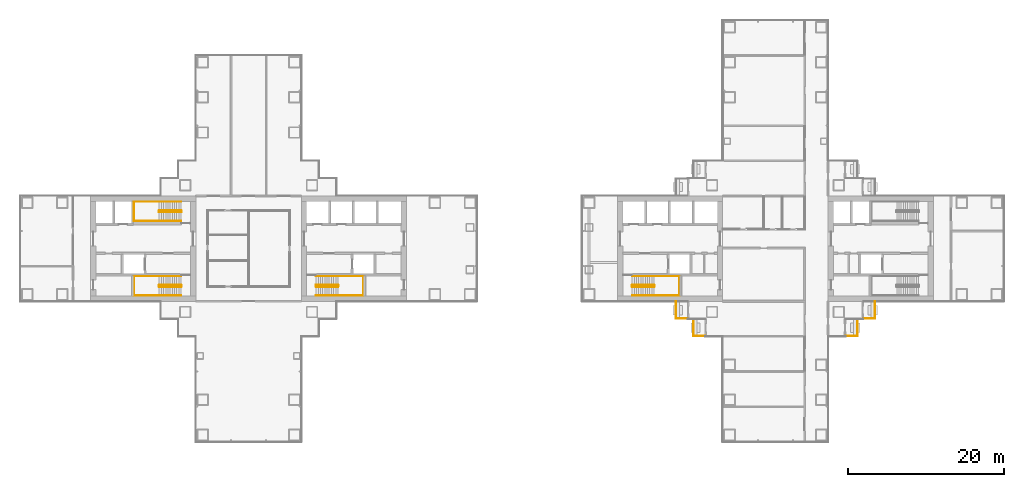
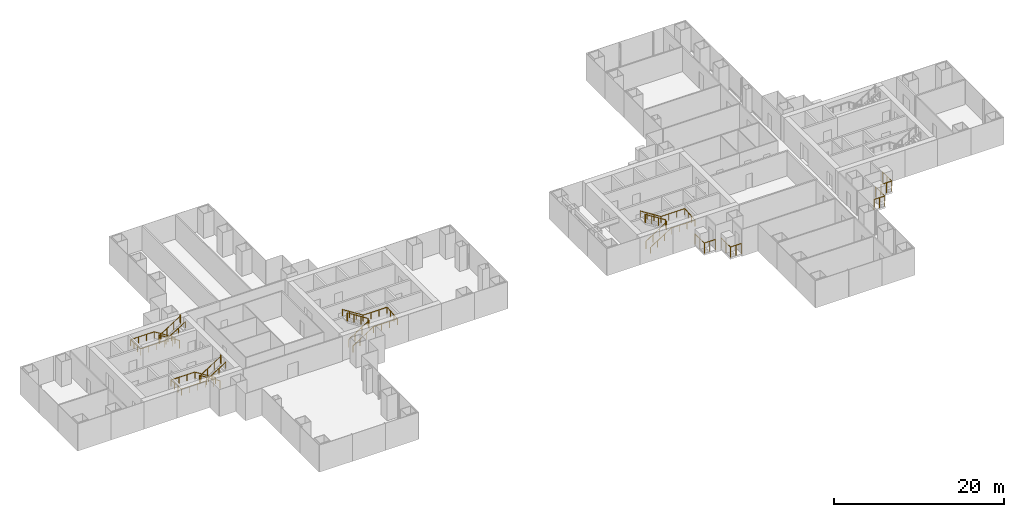
# One storey, part 19 of 21: 12 railings.
"""IFC4 building model written with IfcOpenShell, lengths in metres."""

from ifc_helpers import new_model, si_unit, direction, frame, origin, origin_2d, place, context, subcontext, project, spatial, circle, extrude, material, type_object, element, save


model = new_model("IFC4")

# Units and contexts
model_context = context("Model", 3, precision=1e-05, world=origin(), true_north=direction((0.0, 1.0)))
body_context = subcontext(model_context, "Body", "Model", "MODEL_VIEW")
ifc_project = project(units=[si_unit("LENGTHUNIT", "METRE"), si_unit("AREAUNIT", "SQUARE_METRE"), si_unit("VOLUMEUNIT", "CUBIC_METRE"), si_unit("PLANEANGLEUNIT", "RADIAN"), si_unit("MASSUNIT", "GRAM", prefix="KILO")], contexts=[model_context])

# Site, building, storey
site_placement = place(None, origin())
site = spatial("IfcSite", under=ifc_project, at=site_placement, CompositionType="ELEMENT")
building_placement = place(site_placement, origin())
building = spatial("IfcBuilding", under=site, at=building_placement, Name="Shamsa Quay Exchange Towers", CompositionType="ELEMENT")
storey_placement = place(building_placement, frame((0.0, 0.0, 49.800048828125)))
storey = spatial("IfcBuildingStorey", under=building, at=storey_placement, Name="L10", CompositionType="ELEMENT", Elevation=49.800048828125)

# Railings
ifc_material_1 = material(Name="Steel S355, black powder-coated", Category="steel")
railing_type_1 = type_object("IfcRailingType", Name="BALCONY GUARD 1500", PredefinedType="GUARDRAIL", material=ifc_material_1)
for number, where, name in (
    (1, (21.0, -6.7880859375, 0.0), "Balcony guard T2-PKWN L10"),
    (2, (23.25, -9.0380859375, 0.0), "Balcony guard T2-PKWN L10"),
):
    element("IfcRailing", number, at=place(storey_placement, frame(where)), inside=storey, type_object=railing_type_1, Name=name, PredefinedType="GUARDRAIL", context=body_context, shape_type="SweptSolid", body=[
        extrude(circle(Radius=0.02392578125, at=origin_2d()), frame((0.0, 0.0, 1.47607421875), z_axis=(0.0, -1.0, 0.0), x_axis=(1.0, 0.0, 0.0)), (0.0, 0.0, 1.0), 2.161865234375),
        extrude(circle(Radius=0.02392578125, at=origin_2d()), frame((0.0, -2.161865234375, 1.47607421875), z_axis=(1.0, 0.0, 0.0), x_axis=(0.0, 1.0, 0.0)), (0.0, 0.0, 1.0), 1.47900390625),
        extrude(circle(Radius=0.02099609375, at=origin_2d()), origin(), (0.0, 0.0, 1.0), 1.451904296875),
        extrude(circle(Radius=0.02099609375, at=origin_2d()), frame((0.0, -1.0810546875, 0.0)), (0.0, 0.0, 1.0), 1.451904296875),
        extrude(circle(Radius=0.02099609375, at=origin_2d()), frame((0.0, -2.161865234375, 0.0)), (0.0, 0.0, 1.0), 1.451904296875),
        extrude(circle(Radius=0.02099609375, at=origin_2d()), frame((0.739501953125, -2.161865234375, 0.0)), (0.0, 0.0, 1.0), 1.451904296875),
        extrude(circle(Radius=0.02099609375, at=origin_2d()), frame((1.47900390625, -2.161865234375, 0.0)), (0.0, 0.0, 1.0), 1.451904296875),
    ])
for number, where, name in (
    (3, (42.77099609375, -11.199951171875, 0.0), "Balcony guard T2-PKWS L10"),
    (4, (45.02099609375, -8.949951171875, 0.0), "Balcony guard T2-PKWS L10"),
):
    element("IfcRailing", number, at=place(storey_placement, frame(where)), inside=storey, type_object=railing_type_1, Name=name, PredefinedType="GUARDRAIL", context=body_context, shape_type="SweptSolid", body=[
        extrude(circle(Radius=0.02392578125, at=origin_2d()), frame((0.0, 0.0, 1.47607421875), z_axis=(1.0, 0.0, 0.0), x_axis=(0.0, 1.0, 0.0)), (0.0, 0.0, 1.0), 1.47900390625),
        extrude(circle(Radius=0.02392578125, at=origin_2d()), frame((1.47900390625, 0.0, 1.47607421875), z_axis=(0.0, 1.0, 0.0), x_axis=(-1.0, 0.0, 0.0)), (0.0, 0.0, 1.0), 2.161865234375),
        extrude(circle(Radius=0.02099609375, at=origin_2d()), origin(), (0.0, 0.0, 1.0), 1.451904296875),
        extrude(circle(Radius=0.02099609375, at=origin_2d()), frame((0.739501953125, 0.0, 0.0)), (0.0, 0.0, 1.0), 1.451904296875),
        extrude(circle(Radius=0.02099609375, at=origin_2d()), frame((1.47900390625, 0.0, 0.0)), (0.0, 0.0, 1.0), 1.451904296875),
        extrude(circle(Radius=0.02099609375, at=origin_2d()), frame((1.47900390625, 1.0810546875, 0.0)), (0.0, 0.0, 1.0), 1.451904296875),
        extrude(circle(Radius=0.02099609375, at=origin_2d()), frame((1.47900390625, 2.161865234375, 0.0)), (0.0, 0.0, 1.0), 1.451904296875),
    ])
ifc_material_2 = material(Name="Stainless steel", Category="steel")
railing_type_2 = type_object("IfcRailingType", Name="STAIR GUARD 1100", PredefinedType="GUARDRAIL", material=ifc_material_2)
railing_1_placement = place(storey_placement, frame((-25.10009765625, -4.89990234375, 0.17724609375)))
element("IfcRailing", 5, at=railing_1_placement, inside=storey, type_object=railing_type_2, Name="L10 ST1 stair guard 1", PredefinedType="GUARDRAIL", context=body_context, shape_type="SweptSolid", body=[
    extrude(circle(Radius=0.02392578125, at=origin_2d()), frame((0.0, 0.0, 1.076171875), z_axis=(0.844908973607, 0.0, 0.534910110503), x_axis=(0.0, 1.0, 0.0)), (0.0, 0.0, 1.0), 3.31396484375),
    extrude(circle(Radius=0.02392578125, at=origin_2d()), frame((2.800048828125, 0.0, 2.8486328125), z_axis=(0.708833529934, 0.705375805398, 0.0), x_axis=(-0.705375805398, 0.708833529934, 0.0)), (0.0, 0.0, 1.0), 0.070556640625),
    extrude(circle(Radius=0.02392578125, at=origin_2d()), frame((2.85009765625, 0.0498046875, 2.8486328125), z_axis=(0.0, 1.0, 0.0), x_axis=(-1.0, 0.0, 0.0)), (0.0, 0.0, 1.0), 0.150146484375),
    extrude(circle(Radius=0.02392578125, at=origin_2d()), frame((2.85009765625, 0.199951171875, 2.8486328125), z_axis=(-0.262233686654, 0.262233686654, 0.928691007369), x_axis=(-0.707106781187, -0.707106781187, 0.0)), (0.0, 0.0, 1.0), 0.19091796875),
    extrude(circle(Radius=0.02392578125, at=origin_2d()), frame((2.800048828125, 0.25, 3.02587890625), z_axis=(-0.844908973607, 0.0, 0.534910110503), x_axis=(0.0, -1.0, 0.0)), (0.0, 0.0, 1.0), 3.31396484375),
    extrude(circle(Radius=0.02392578125, at=origin_2d()), frame((0.0, 0.25, 4.798828125), z_axis=(-0.24142163986, -0.970420317083, 0.0), x_axis=(0.970420317083, -0.24142163986, 0.0)), (0.0, 0.0, 1.0), 0.206298828125),
    extrude(circle(Radius=0.02392578125, at=origin_2d()), frame((-0.0498046875, 0.0498046875, 4.798828125), z_axis=(0.0, 1.0, 0.0), x_axis=(-1.0, 0.0, 0.0)), (0.0, 0.0, 1.0), 0.150146484375),
    extrude(circle(Radius=0.02099609375, at=origin_2d()), origin(), (0.0, 0.0, 1.0), 1.052001953125),
    extrude(circle(Radius=0.02099609375, at=origin_2d()), frame((0.933349609375, 0.0, 0.5908203125)), (0.0, 0.0, 1.0), 1.052001953125),
    extrude(circle(Radius=0.02099609375, at=origin_2d()), frame((1.86669921875, 0.0, 1.181884765625)), (0.0, 0.0, 1.0), 1.052001953125),
    extrude(circle(Radius=0.02099609375, at=origin_2d()), frame((2.800048828125, 0.0, 1.772705078125)), (0.0, 0.0, 1.0), 1.052001953125),
    extrude(circle(Radius=0.02099609375, at=origin_2d()), frame((2.85009765625, 0.0498046875, 1.772705078125)), (0.0, 0.0, 1.0), 1.052001953125),
    extrude(circle(Radius=0.02099609375, at=origin_2d()), frame((2.85009765625, 0.199951171875, 1.772705078125)), (0.0, 0.0, 1.0), 1.052001953125),
    extrude(circle(Radius=0.02099609375, at=origin_2d()), frame((2.800048828125, 0.25, 1.949951171875)), (0.0, 0.0, 1.0), 1.052001953125),
    extrude(circle(Radius=0.02099609375, at=origin_2d()), frame((1.86669921875, 0.25, 2.540771484375)), (0.0, 0.0, 1.0), 1.052001953125),
    extrude(circle(Radius=0.02099609375, at=origin_2d()), frame((0.933349609375, 0.25, 3.1318359375)), (0.0, 0.0, 1.0), 1.052001953125),
    extrude(circle(Radius=0.02099609375, at=origin_2d()), frame((0.0, 0.25, 3.72265625)), (0.0, 0.0, 1.0), 1.052001953125),
    extrude(circle(Radius=0.02099609375, at=origin_2d()), frame((-0.0498046875, 0.0498046875, 3.72265625)), (0.0, 0.0, 1.0), 1.052001953125),
    extrude(circle(Radius=0.02099609375, at=origin_2d()), frame((-0.0498046875, 0.199951171875, 3.72265625)), (0.0, 0.0, 1.0), 1.052001953125),
])
railing_2_placement = place(storey_placement, frame((-42.39990234375, -4.64990234375, 0.17724609375)))
element("IfcRailing", 6, at=railing_2_placement, inside=storey, type_object=railing_type_2, Name="L10 ST2 stair guard 1", PredefinedType="GUARDRAIL", context=body_context, shape_type="SweptSolid", body=[
    extrude(circle(Radius=0.02392578125, at=origin_2d()), frame((0.0, 0.0, 1.076171875), z_axis=(-0.844908973607, 0.0, 0.534910110503), x_axis=(0.0, -1.0, 0.0)), (0.0, 0.0, 1.0), 3.31396484375),
    extrude(circle(Radius=0.02392578125, at=origin_2d()), frame((-2.800048828125, 0.0, 2.8486328125), z_axis=(-0.707106781187, -0.707106781187, 0.0), x_axis=(0.707106781187, -0.707106781187, 0.0)), (0.0, 0.0, 1.0), 0.07080078125),
    extrude(circle(Radius=0.02392578125, at=origin_2d()), frame((-2.85009765625, -0.050048828125, 2.8486328125), z_axis=(0.0, -1.0, 0.0), x_axis=(1.0, 0.0, 0.0)), (0.0, 0.0, 1.0), 0.150146484375),
    extrude(circle(Radius=0.02392578125, at=origin_2d()), frame((-2.85009765625, -0.2001953125, 2.8486328125), z_axis=(0.262321481514, -0.261041864531, 0.929001929653), x_axis=(0.705375805398, 0.708833529934, 0.0)), (0.0, 0.0, 1.0), 0.190673828125),
    extrude(circle(Radius=0.02392578125, at=origin_2d()), frame((-2.800048828125, -0.25, 3.02587890625), z_axis=(0.844908973607, 0.0, 0.534910110503), x_axis=(0.0, 1.0, 0.0)), (0.0, 0.0, 1.0), 3.31396484375),
    extrude(circle(Radius=0.02392578125, at=origin_2d()), frame((0.0, -0.25, 4.798828125), z_axis=(0.241699205484, 0.970351222016, 0.0), x_axis=(-0.970351222016, 0.241699205484, 0.0)), (0.0, 0.0, 1.0), 0.2060546875),
    extrude(circle(Radius=0.02392578125, at=origin_2d()), frame((0.0498046875, -0.050048828125, 4.798828125), z_axis=(0.0, -1.0, 0.0), x_axis=(1.0, 0.0, 0.0)), (0.0, 0.0, 1.0), 0.150146484375),
    extrude(circle(Radius=0.02099609375, at=origin_2d()), origin(), (0.0, 0.0, 1.0), 1.052001953125),
    extrude(circle(Radius=0.02099609375, at=origin_2d()), frame((-0.933349609375, 0.0, 0.5908203125)), (0.0, 0.0, 1.0), 1.052001953125),
    extrude(circle(Radius=0.02099609375, at=origin_2d()), frame((-1.86669921875, 0.0, 1.181884765625)), (0.0, 0.0, 1.0), 1.052001953125),
    extrude(circle(Radius=0.02099609375, at=origin_2d()), frame((-2.800048828125, 0.0, 1.772705078125)), (0.0, 0.0, 1.0), 1.052001953125),
    extrude(circle(Radius=0.02099609375, at=origin_2d()), frame((-2.85009765625, -0.050048828125, 1.772705078125)), (0.0, 0.0, 1.0), 1.052001953125),
    extrude(circle(Radius=0.02099609375, at=origin_2d()), frame((-2.85009765625, -0.2001953125, 1.772705078125)), (0.0, 0.0, 1.0), 1.052001953125),
    extrude(circle(Radius=0.02099609375, at=origin_2d()), frame((-2.800048828125, -0.25, 1.949951171875)), (0.0, 0.0, 1.0), 1.052001953125),
    extrude(circle(Radius=0.02099609375, at=origin_2d()), frame((-1.86669921875, -0.25, 2.540771484375)), (0.0, 0.0, 1.0), 1.052001953125),
    extrude(circle(Radius=0.02099609375, at=origin_2d()), frame((-0.933349609375, -0.25, 3.1318359375)), (0.0, 0.0, 1.0), 1.052001953125),
    extrude(circle(Radius=0.02099609375, at=origin_2d()), frame((0.0, -0.25, 3.72265625)), (0.0, 0.0, 1.0), 1.052001953125),
    extrude(circle(Radius=0.02099609375, at=origin_2d()), frame((0.0498046875, -0.050048828125, 3.72265625)), (0.0, 0.0, 1.0), 1.052001953125),
    extrude(circle(Radius=0.02099609375, at=origin_2d()), frame((0.0498046875, -0.2001953125, 3.72265625)), (0.0, 0.0, 1.0), 1.052001953125),
])
railing_3_placement = place(storey_placement, frame((-42.39990234375, 4.89990234375, 0.17724609375)))
element("IfcRailing", 7, at=railing_3_placement, inside=storey, type_object=railing_type_2, Name="L10 ST3 stair guard 1", PredefinedType="GUARDRAIL", context=body_context, shape_type="SweptSolid", body=[
    extrude(circle(Radius=0.02392578125, at=origin_2d()), frame((0.0, 0.0, 1.076171875), z_axis=(-0.844908973607, 0.0, 0.534910110503), x_axis=(0.0, -1.0, 0.0)), (0.0, 0.0, 1.0), 3.31396484375),
    extrude(circle(Radius=0.02392578125, at=origin_2d()), frame((-2.800048828125, 0.0, 2.8486328125), z_axis=(-0.708833529934, -0.705375805398, 0.0), x_axis=(0.705375805398, -0.708833529934, 0.0)), (0.0, 0.0, 1.0), 0.070556640625),
    extrude(circle(Radius=0.02392578125, at=origin_2d()), frame((-2.85009765625, -0.0498046875, 2.8486328125), z_axis=(0.0, -1.0, 0.0), x_axis=(1.0, 0.0, 0.0)), (0.0, 0.0, 1.0), 0.150146484375),
    extrude(circle(Radius=0.02392578125, at=origin_2d()), frame((-2.85009765625, -0.199951171875, 2.8486328125), z_axis=(0.262233686654, -0.262233686654, 0.928691007369), x_axis=(0.707106781187, 0.707106781187, 0.0)), (0.0, 0.0, 1.0), 0.19091796875),
    extrude(circle(Radius=0.02392578125, at=origin_2d()), frame((-2.800048828125, -0.25, 3.02587890625), z_axis=(0.844908973607, 0.0, 0.534910110503), x_axis=(0.0, 1.0, 0.0)), (0.0, 0.0, 1.0), 3.31396484375),
    extrude(circle(Radius=0.02392578125, at=origin_2d()), frame((0.0, -0.25, 4.798828125), z_axis=(0.24142163986, 0.970420317083, 0.0), x_axis=(-0.970420317083, 0.24142163986, 0.0)), (0.0, 0.0, 1.0), 0.206298828125),
    extrude(circle(Radius=0.02392578125, at=origin_2d()), frame((0.0498046875, -0.0498046875, 4.798828125), z_axis=(0.0, -1.0, 0.0), x_axis=(1.0, 0.0, 0.0)), (0.0, 0.0, 1.0), 0.150146484375),
    extrude(circle(Radius=0.02099609375, at=origin_2d()), origin(), (0.0, 0.0, 1.0), 1.052001953125),
    extrude(circle(Radius=0.02099609375, at=origin_2d()), frame((-0.933349609375, 0.0, 0.5908203125)), (0.0, 0.0, 1.0), 1.052001953125),
    extrude(circle(Radius=0.02099609375, at=origin_2d()), frame((-1.86669921875, 0.0, 1.181884765625)), (0.0, 0.0, 1.0), 1.052001953125),
    extrude(circle(Radius=0.02099609375, at=origin_2d()), frame((-2.800048828125, 0.0, 1.772705078125)), (0.0, 0.0, 1.0), 1.052001953125),
    extrude(circle(Radius=0.02099609375, at=origin_2d()), frame((-2.85009765625, -0.0498046875, 1.772705078125)), (0.0, 0.0, 1.0), 1.052001953125),
    extrude(circle(Radius=0.02099609375, at=origin_2d()), frame((-2.85009765625, -0.199951171875, 1.772705078125)), (0.0, 0.0, 1.0), 1.052001953125),
    extrude(circle(Radius=0.02099609375, at=origin_2d()), frame((-2.800048828125, -0.25, 1.949951171875)), (0.0, 0.0, 1.0), 1.052001953125),
    extrude(circle(Radius=0.02099609375, at=origin_2d()), frame((-1.86669921875, -0.25, 2.540771484375)), (0.0, 0.0, 1.0), 1.052001953125),
    extrude(circle(Radius=0.02099609375, at=origin_2d()), frame((-0.933349609375, -0.25, 3.1318359375)), (0.0, 0.0, 1.0), 1.052001953125),
    extrude(circle(Radius=0.02099609375, at=origin_2d()), frame((0.0, -0.25, 3.72265625)), (0.0, 0.0, 1.0), 1.052001953125),
    extrude(circle(Radius=0.02099609375, at=origin_2d()), frame((0.0498046875, -0.0498046875, 3.72265625)), (0.0, 0.0, 1.0), 1.052001953125),
    extrude(circle(Radius=0.02099609375, at=origin_2d()), frame((0.0498046875, -0.199951171875, 3.72265625)), (0.0, 0.0, 1.0), 1.052001953125),
])
railing_4_placement = place(storey_placement, frame((15.39990234375, -4.89990234375, 0.17724609375)))
element("IfcRailing", 8, at=railing_4_placement, inside=storey, type_object=railing_type_2, Name="L10 ST4 stair guard 1", PredefinedType="GUARDRAIL", context=body_context, shape_type="SweptSolid", body=[
    extrude(circle(Radius=0.02392578125, at=origin_2d()), frame((0.0, 0.0, 1.076171875), z_axis=(0.844908973607, 0.0, 0.534910110503), x_axis=(0.0, 1.0, 0.0)), (0.0, 0.0, 1.0), 3.31396484375),
    extrude(circle(Radius=0.02392578125, at=origin_2d()), frame((2.800048828125, 0.0, 2.8486328125), z_axis=(0.708833529934, 0.705375805398, 0.0), x_axis=(-0.705375805398, 0.708833529934, 0.0)), (0.0, 0.0, 1.0), 0.070556640625),
    extrude(circle(Radius=0.02392578125, at=origin_2d()), frame((2.85009765625, 0.0498046875, 2.8486328125), z_axis=(0.0, 1.0, 0.0), x_axis=(-1.0, 0.0, 0.0)), (0.0, 0.0, 1.0), 0.150146484375),
    extrude(circle(Radius=0.02392578125, at=origin_2d()), frame((2.85009765625, 0.199951171875, 2.8486328125), z_axis=(-0.262233686654, 0.262233686654, 0.928691007369), x_axis=(-0.707106781187, -0.707106781187, 0.0)), (0.0, 0.0, 1.0), 0.19091796875),
    extrude(circle(Radius=0.02392578125, at=origin_2d()), frame((2.800048828125, 0.25, 3.02587890625), z_axis=(-0.844908973607, 0.0, 0.534910110503), x_axis=(0.0, -1.0, 0.0)), (0.0, 0.0, 1.0), 3.31396484375),
    extrude(circle(Radius=0.02392578125, at=origin_2d()), frame((0.0, 0.25, 4.798828125), z_axis=(-0.24142163986, -0.970420317083, 0.0), x_axis=(0.970420317083, -0.24142163986, 0.0)), (0.0, 0.0, 1.0), 0.206298828125),
    extrude(circle(Radius=0.02392578125, at=origin_2d()), frame((-0.0498046875, 0.0498046875, 4.798828125), z_axis=(0.0, 1.0, 0.0), x_axis=(-1.0, 0.0, 0.0)), (0.0, 0.0, 1.0), 0.150146484375),
    extrude(circle(Radius=0.02099609375, at=origin_2d()), origin(), (0.0, 0.0, 1.0), 1.052001953125),
    extrude(circle(Radius=0.02099609375, at=origin_2d()), frame((0.933349609375, 0.0, 0.5908203125)), (0.0, 0.0, 1.0), 1.052001953125),
    extrude(circle(Radius=0.02099609375, at=origin_2d()), frame((1.86669921875, 0.0, 1.181884765625)), (0.0, 0.0, 1.0), 1.052001953125),
    extrude(circle(Radius=0.02099609375, at=origin_2d()), frame((2.800048828125, 0.0, 1.772705078125)), (0.0, 0.0, 1.0), 1.052001953125),
    extrude(circle(Radius=0.02099609375, at=origin_2d()), frame((2.85009765625, 0.0498046875, 1.772705078125)), (0.0, 0.0, 1.0), 1.052001953125),
    extrude(circle(Radius=0.02099609375, at=origin_2d()), frame((2.85009765625, 0.199951171875, 1.772705078125)), (0.0, 0.0, 1.0), 1.052001953125),
    extrude(circle(Radius=0.02099609375, at=origin_2d()), frame((2.800048828125, 0.25, 1.949951171875)), (0.0, 0.0, 1.0), 1.052001953125),
    extrude(circle(Radius=0.02099609375, at=origin_2d()), frame((1.86669921875, 0.25, 2.540771484375)), (0.0, 0.0, 1.0), 1.052001953125),
    extrude(circle(Radius=0.02099609375, at=origin_2d()), frame((0.933349609375, 0.25, 3.1318359375)), (0.0, 0.0, 1.0), 1.052001953125),
    extrude(circle(Radius=0.02099609375, at=origin_2d()), frame((0.0, 0.25, 3.72265625)), (0.0, 0.0, 1.0), 1.052001953125),
    extrude(circle(Radius=0.02099609375, at=origin_2d()), frame((-0.0498046875, 0.0498046875, 3.72265625)), (0.0, 0.0, 1.0), 1.052001953125),
    extrude(circle(Radius=0.02099609375, at=origin_2d()), frame((-0.0498046875, 0.199951171875, 3.72265625)), (0.0, 0.0, 1.0), 1.052001953125),
])
railing_type_3 = type_object("IfcRailingType", Name="STAIR HANDRAIL 900", PredefinedType="HANDRAIL", material=ifc_material_2)
railing_5_placement = place(storey_placement, frame((-25.10009765625, -6.0, 0.17724609375)))
element("IfcRailing", 9, at=railing_5_placement, inside=storey, type_object=railing_type_3, Name="L10 ST1 stair handrail 1", PredefinedType="HANDRAIL", context=body_context, shape_type="SweptSolid", body=[
    extrude(circle(Radius=0.02392578125, at=origin_2d()), frame((0.0, 0.0, 0.8759765625), z_axis=(0.844908973607, 0.0, 0.534910110503), x_axis=(0.0, 1.0, 0.0)), (0.0, 0.0, 1.0), 3.31396484375),
    extrude(circle(Radius=0.02392578125, at=origin_2d()), frame((2.800048828125, 0.0, 2.6484375), z_axis=(1.0, 0.0, 0.0), x_axis=(0.0, 1.0, 0.0)), (0.0, 0.0, 1.0), 3.25),
    extrude(circle(Radius=0.02392578125, at=origin_2d()), frame((6.050048828125, 0.0, 2.6484375), z_axis=(0.0, 0.997393199914, 0.07215819264), x_axis=(-1.0, 0.0, 0.0)), (0.0, 0.0, 1.0), 2.456298828125),
    extrude(circle(Radius=0.02392578125, at=origin_2d()), frame((6.050048828125, 2.449951171875, 2.82568359375), z_axis=(-1.0, 0.0, 0.0), x_axis=(0.0, -1.0, 0.0)), (0.0, 0.0, 1.0), 3.25),
    extrude(circle(Radius=0.02392578125, at=origin_2d()), frame((2.800048828125, 2.449951171875, 2.82568359375), z_axis=(-0.844908973607, 0.0, 0.534910110503), x_axis=(0.0, -1.0, 0.0)), (0.0, 0.0, 1.0), 3.31396484375),
    extrude(circle(Radius=0.02099609375, at=origin_2d()), origin(), (0.0, 0.0, 1.0), 0.851806640625),
    extrude(circle(Radius=0.02099609375, at=origin_2d()), frame((0.933349609375, 0.0, 0.5908203125)), (0.0, 0.0, 1.0), 0.851806640625),
    extrude(circle(Radius=0.02099609375, at=origin_2d()), frame((1.86669921875, 0.0, 1.181884765625)), (0.0, 0.0, 1.0), 0.851806640625),
    extrude(circle(Radius=0.02099609375, at=origin_2d()), frame((2.800048828125, 0.0, 1.772705078125)), (0.0, 0.0, 1.0), 0.851806640625),
    extrude(circle(Radius=0.02099609375, at=origin_2d()), frame((3.88330078125, 0.0, 1.772705078125)), (0.0, 0.0, 1.0), 0.851806640625),
    extrude(circle(Radius=0.02099609375, at=origin_2d()), frame((4.966796875, 0.0, 1.772705078125)), (0.0, 0.0, 1.0), 0.851806640625),
    extrude(circle(Radius=0.02099609375, at=origin_2d()), frame((6.050048828125, 0.0, 1.772705078125)), (0.0, 0.0, 1.0), 0.851806640625),
    extrude(circle(Radius=0.02099609375, at=origin_2d()), frame((6.050048828125, 0.816650390625, 1.831787109375)), (0.0, 0.0, 1.0), 0.851806640625),
    extrude(circle(Radius=0.02099609375, at=origin_2d()), frame((6.050048828125, 1.63330078125, 1.890869140625)), (0.0, 0.0, 1.0), 0.851806640625),
    extrude(circle(Radius=0.02099609375, at=origin_2d()), frame((6.050048828125, 2.449951171875, 1.949951171875)), (0.0, 0.0, 1.0), 0.851806640625),
    extrude(circle(Radius=0.02099609375, at=origin_2d()), frame((4.966796875, 2.449951171875, 1.949951171875)), (0.0, 0.0, 1.0), 0.851806640625),
    extrude(circle(Radius=0.02099609375, at=origin_2d()), frame((3.88330078125, 2.449951171875, 1.949951171875)), (0.0, 0.0, 1.0), 0.851806640625),
    extrude(circle(Radius=0.02099609375, at=origin_2d()), frame((2.800048828125, 2.449951171875, 1.949951171875)), (0.0, 0.0, 1.0), 0.851806640625),
    extrude(circle(Radius=0.02099609375, at=origin_2d()), frame((1.86669921875, 2.449951171875, 2.540771484375)), (0.0, 0.0, 1.0), 0.851806640625),
    extrude(circle(Radius=0.02099609375, at=origin_2d()), frame((0.933349609375, 2.449951171875, 3.1318359375)), (0.0, 0.0, 1.0), 0.851806640625),
    extrude(circle(Radius=0.02099609375, at=origin_2d()), frame((0.0, 2.449951171875, 3.72265625)), (0.0, 0.0, 1.0), 0.851806640625),
])
railing_6_placement = place(storey_placement, frame((-42.39990234375, -3.550048828125, 0.17724609375)))
element("IfcRailing", 10, at=railing_6_placement, inside=storey, type_object=railing_type_3, Name="L10 ST2 stair handrail 1", PredefinedType="HANDRAIL", context=body_context, shape_type="SweptSolid", body=[
    extrude(circle(Radius=0.02392578125, at=origin_2d()), frame((0.0, 0.0, 0.8759765625), z_axis=(-0.844908973607, 0.0, 0.534910110503), x_axis=(0.0, -1.0, 0.0)), (0.0, 0.0, 1.0), 3.31396484375),
    extrude(circle(Radius=0.02392578125, at=origin_2d()), frame((-2.800048828125, 0.0, 2.6484375), z_axis=(-1.0, 0.0, 0.0), x_axis=(0.0, -1.0, 0.0)), (0.0, 0.0, 1.0), 3.25),
    extrude(circle(Radius=0.02392578125, at=origin_2d()), frame((-6.050048828125, 0.0, 2.6484375), z_axis=(0.0, -0.997393199914, 0.07215819264), x_axis=(1.0, 0.0, 0.0)), (0.0, 0.0, 1.0), 2.456298828125),
    extrude(circle(Radius=0.02392578125, at=origin_2d()), frame((-6.050048828125, -2.449951171875, 2.82568359375), z_axis=(1.0, 0.0, 0.0), x_axis=(0.0, 1.0, 0.0)), (0.0, 0.0, 1.0), 3.25),
    extrude(circle(Radius=0.02392578125, at=origin_2d()), frame((-2.800048828125, -2.449951171875, 2.82568359375), z_axis=(0.844908973607, 0.0, 0.534910110503), x_axis=(0.0, 1.0, 0.0)), (0.0, 0.0, 1.0), 3.31396484375),
    extrude(circle(Radius=0.02099609375, at=origin_2d()), origin(), (0.0, 0.0, 1.0), 0.851806640625),
    extrude(circle(Radius=0.02099609375, at=origin_2d()), frame((-0.933349609375, 0.0, 0.5908203125)), (0.0, 0.0, 1.0), 0.851806640625),
    extrude(circle(Radius=0.02099609375, at=origin_2d()), frame((-1.86669921875, 0.0, 1.181884765625)), (0.0, 0.0, 1.0), 0.851806640625),
    extrude(circle(Radius=0.02099609375, at=origin_2d()), frame((-2.800048828125, 0.0, 1.772705078125)), (0.0, 0.0, 1.0), 0.851806640625),
    extrude(circle(Radius=0.02099609375, at=origin_2d()), frame((-3.88330078125, 0.0, 1.772705078125)), (0.0, 0.0, 1.0), 0.851806640625),
    extrude(circle(Radius=0.02099609375, at=origin_2d()), frame((-4.966796875, 0.0, 1.772705078125)), (0.0, 0.0, 1.0), 0.851806640625),
    extrude(circle(Radius=0.02099609375, at=origin_2d()), frame((-6.050048828125, 0.0, 1.772705078125)), (0.0, 0.0, 1.0), 0.851806640625),
    extrude(circle(Radius=0.02099609375, at=origin_2d()), frame((-6.050048828125, -0.816650390625, 1.831787109375)), (0.0, 0.0, 1.0), 0.851806640625),
    extrude(circle(Radius=0.02099609375, at=origin_2d()), frame((-6.050048828125, -1.63330078125, 1.890869140625)), (0.0, 0.0, 1.0), 0.851806640625),
    extrude(circle(Radius=0.02099609375, at=origin_2d()), frame((-6.050048828125, -2.449951171875, 1.949951171875)), (0.0, 0.0, 1.0), 0.851806640625),
    extrude(circle(Radius=0.02099609375, at=origin_2d()), frame((-4.966796875, -2.449951171875, 1.949951171875)), (0.0, 0.0, 1.0), 0.851806640625),
    extrude(circle(Radius=0.02099609375, at=origin_2d()), frame((-3.88330078125, -2.449951171875, 1.949951171875)), (0.0, 0.0, 1.0), 0.851806640625),
    extrude(circle(Radius=0.02099609375, at=origin_2d()), frame((-2.800048828125, -2.449951171875, 1.949951171875)), (0.0, 0.0, 1.0), 0.851806640625),
    extrude(circle(Radius=0.02099609375, at=origin_2d()), frame((-1.86669921875, -2.449951171875, 2.540771484375)), (0.0, 0.0, 1.0), 0.851806640625),
    extrude(circle(Radius=0.02099609375, at=origin_2d()), frame((-0.933349609375, -2.449951171875, 3.1318359375)), (0.0, 0.0, 1.0), 0.851806640625),
    extrude(circle(Radius=0.02099609375, at=origin_2d()), frame((0.0, -2.449951171875, 3.72265625)), (0.0, 0.0, 1.0), 0.851806640625),
])
railing_7_placement = place(storey_placement, frame((-42.39990234375, 6.0, 0.17724609375)))
element("IfcRailing", 11, at=railing_7_placement, inside=storey, type_object=railing_type_3, Name="L10 ST3 stair handrail 1", PredefinedType="HANDRAIL", context=body_context, shape_type="SweptSolid", body=[
    extrude(circle(Radius=0.02392578125, at=origin_2d()), frame((0.0, 0.0, 0.8759765625), z_axis=(-0.844908973607, 0.0, 0.534910110503), x_axis=(0.0, -1.0, 0.0)), (0.0, 0.0, 1.0), 3.31396484375),
    extrude(circle(Radius=0.02392578125, at=origin_2d()), frame((-2.800048828125, 0.0, 2.6484375), z_axis=(-1.0, 0.0, 0.0), x_axis=(0.0, -1.0, 0.0)), (0.0, 0.0, 1.0), 3.25),
    extrude(circle(Radius=0.02392578125, at=origin_2d()), frame((-6.050048828125, 0.0, 2.6484375), z_axis=(0.0, -0.997393199914, 0.07215819264), x_axis=(1.0, 0.0, 0.0)), (0.0, 0.0, 1.0), 2.456298828125),
    extrude(circle(Radius=0.02392578125, at=origin_2d()), frame((-6.050048828125, -2.449951171875, 2.82568359375), z_axis=(1.0, 0.0, 0.0), x_axis=(0.0, 1.0, 0.0)), (0.0, 0.0, 1.0), 3.25),
    extrude(circle(Radius=0.02392578125, at=origin_2d()), frame((-2.800048828125, -2.449951171875, 2.82568359375), z_axis=(0.844908973607, 0.0, 0.534910110503), x_axis=(0.0, 1.0, 0.0)), (0.0, 0.0, 1.0), 3.31396484375),
    extrude(circle(Radius=0.02099609375, at=origin_2d()), origin(), (0.0, 0.0, 1.0), 0.851806640625),
    extrude(circle(Radius=0.02099609375, at=origin_2d()), frame((-0.933349609375, 0.0, 0.5908203125)), (0.0, 0.0, 1.0), 0.851806640625),
    extrude(circle(Radius=0.02099609375, at=origin_2d()), frame((-1.86669921875, 0.0, 1.181884765625)), (0.0, 0.0, 1.0), 0.851806640625),
    extrude(circle(Radius=0.02099609375, at=origin_2d()), frame((-2.800048828125, 0.0, 1.772705078125)), (0.0, 0.0, 1.0), 0.851806640625),
    extrude(circle(Radius=0.02099609375, at=origin_2d()), frame((-3.88330078125, 0.0, 1.772705078125)), (0.0, 0.0, 1.0), 0.851806640625),
    extrude(circle(Radius=0.02099609375, at=origin_2d()), frame((-4.966796875, 0.0, 1.772705078125)), (0.0, 0.0, 1.0), 0.851806640625),
    extrude(circle(Radius=0.02099609375, at=origin_2d()), frame((-6.050048828125, 0.0, 1.772705078125)), (0.0, 0.0, 1.0), 0.851806640625),
    extrude(circle(Radius=0.02099609375, at=origin_2d()), frame((-6.050048828125, -0.816650390625, 1.831787109375)), (0.0, 0.0, 1.0), 0.851806640625),
    extrude(circle(Radius=0.02099609375, at=origin_2d()), frame((-6.050048828125, -1.63330078125, 1.890869140625)), (0.0, 0.0, 1.0), 0.851806640625),
    extrude(circle(Radius=0.02099609375, at=origin_2d()), frame((-6.050048828125, -2.449951171875, 1.949951171875)), (0.0, 0.0, 1.0), 0.851806640625),
    extrude(circle(Radius=0.02099609375, at=origin_2d()), frame((-4.966796875, -2.449951171875, 1.949951171875)), (0.0, 0.0, 1.0), 0.851806640625),
    extrude(circle(Radius=0.02099609375, at=origin_2d()), frame((-3.88330078125, -2.449951171875, 1.949951171875)), (0.0, 0.0, 1.0), 0.851806640625),
    extrude(circle(Radius=0.02099609375, at=origin_2d()), frame((-2.800048828125, -2.449951171875, 1.949951171875)), (0.0, 0.0, 1.0), 0.851806640625),
    extrude(circle(Radius=0.02099609375, at=origin_2d()), frame((-1.86669921875, -2.449951171875, 2.540771484375)), (0.0, 0.0, 1.0), 0.851806640625),
    extrude(circle(Radius=0.02099609375, at=origin_2d()), frame((-0.933349609375, -2.449951171875, 3.1318359375)), (0.0, 0.0, 1.0), 0.851806640625),
    extrude(circle(Radius=0.02099609375, at=origin_2d()), frame((0.0, -2.449951171875, 3.72265625)), (0.0, 0.0, 1.0), 0.851806640625),
])
railing_8_placement = place(storey_placement, frame((15.39990234375, -6.0, 0.17724609375)))
element("IfcRailing", 12, at=railing_8_placement, inside=storey, type_object=railing_type_3, Name="L10 ST4 stair handrail 1", PredefinedType="HANDRAIL", context=body_context, shape_type="SweptSolid", body=[
    extrude(circle(Radius=0.02392578125, at=origin_2d()), frame((0.0, 0.0, 0.8759765625), z_axis=(0.844908973607, 0.0, 0.534910110503), x_axis=(0.0, 1.0, 0.0)), (0.0, 0.0, 1.0), 3.31396484375),
    extrude(circle(Radius=0.02392578125, at=origin_2d()), frame((2.800048828125, 0.0, 2.6484375), z_axis=(1.0, 0.0, 0.0), x_axis=(0.0, 1.0, 0.0)), (0.0, 0.0, 1.0), 3.25),
    extrude(circle(Radius=0.02392578125, at=origin_2d()), frame((6.050048828125, 0.0, 2.6484375), z_axis=(0.0, 0.997393199914, 0.07215819264), x_axis=(-1.0, 0.0, 0.0)), (0.0, 0.0, 1.0), 2.456298828125),
    extrude(circle(Radius=0.02392578125, at=origin_2d()), frame((6.050048828125, 2.449951171875, 2.82568359375), z_axis=(-1.0, 0.0, 0.0), x_axis=(0.0, -1.0, 0.0)), (0.0, 0.0, 1.0), 3.25),
    extrude(circle(Radius=0.02392578125, at=origin_2d()), frame((2.800048828125, 2.449951171875, 2.82568359375), z_axis=(-0.844908973607, 0.0, 0.534910110503), x_axis=(0.0, -1.0, 0.0)), (0.0, 0.0, 1.0), 3.31396484375),
    extrude(circle(Radius=0.02099609375, at=origin_2d()), origin(), (0.0, 0.0, 1.0), 0.851806640625),
    extrude(circle(Radius=0.02099609375, at=origin_2d()), frame((0.933349609375, 0.0, 0.5908203125)), (0.0, 0.0, 1.0), 0.851806640625),
    extrude(circle(Radius=0.02099609375, at=origin_2d()), frame((1.86669921875, 0.0, 1.181884765625)), (0.0, 0.0, 1.0), 0.851806640625),
    extrude(circle(Radius=0.02099609375, at=origin_2d()), frame((2.800048828125, 0.0, 1.772705078125)), (0.0, 0.0, 1.0), 0.851806640625),
    extrude(circle(Radius=0.02099609375, at=origin_2d()), frame((3.88330078125, 0.0, 1.772705078125)), (0.0, 0.0, 1.0), 0.851806640625),
    extrude(circle(Radius=0.02099609375, at=origin_2d()), frame((4.966796875, 0.0, 1.772705078125)), (0.0, 0.0, 1.0), 0.851806640625),
    extrude(circle(Radius=0.02099609375, at=origin_2d()), frame((6.050048828125, 0.0, 1.772705078125)), (0.0, 0.0, 1.0), 0.851806640625),
    extrude(circle(Radius=0.02099609375, at=origin_2d()), frame((6.050048828125, 0.816650390625, 1.831787109375)), (0.0, 0.0, 1.0), 0.851806640625),
    extrude(circle(Radius=0.02099609375, at=origin_2d()), frame((6.050048828125, 1.63330078125, 1.890869140625)), (0.0, 0.0, 1.0), 0.851806640625),
    extrude(circle(Radius=0.02099609375, at=origin_2d()), frame((6.050048828125, 2.449951171875, 1.949951171875)), (0.0, 0.0, 1.0), 0.851806640625),
    extrude(circle(Radius=0.02099609375, at=origin_2d()), frame((4.966796875, 2.449951171875, 1.949951171875)), (0.0, 0.0, 1.0), 0.851806640625),
    extrude(circle(Radius=0.02099609375, at=origin_2d()), frame((3.88330078125, 2.449951171875, 1.949951171875)), (0.0, 0.0, 1.0), 0.851806640625),
    extrude(circle(Radius=0.02099609375, at=origin_2d()), frame((2.800048828125, 2.449951171875, 1.949951171875)), (0.0, 0.0, 1.0), 0.851806640625),
    extrude(circle(Radius=0.02099609375, at=origin_2d()), frame((1.86669921875, 2.449951171875, 2.540771484375)), (0.0, 0.0, 1.0), 0.851806640625),
    extrude(circle(Radius=0.02099609375, at=origin_2d()), frame((0.933349609375, 2.449951171875, 3.1318359375)), (0.0, 0.0, 1.0), 0.851806640625),
    extrude(circle(Radius=0.02099609375, at=origin_2d()), frame((0.0, 2.449951171875, 3.72265625)), (0.0, 0.0, 1.0), 0.851806640625),
])

save(model, "model.ifc")
